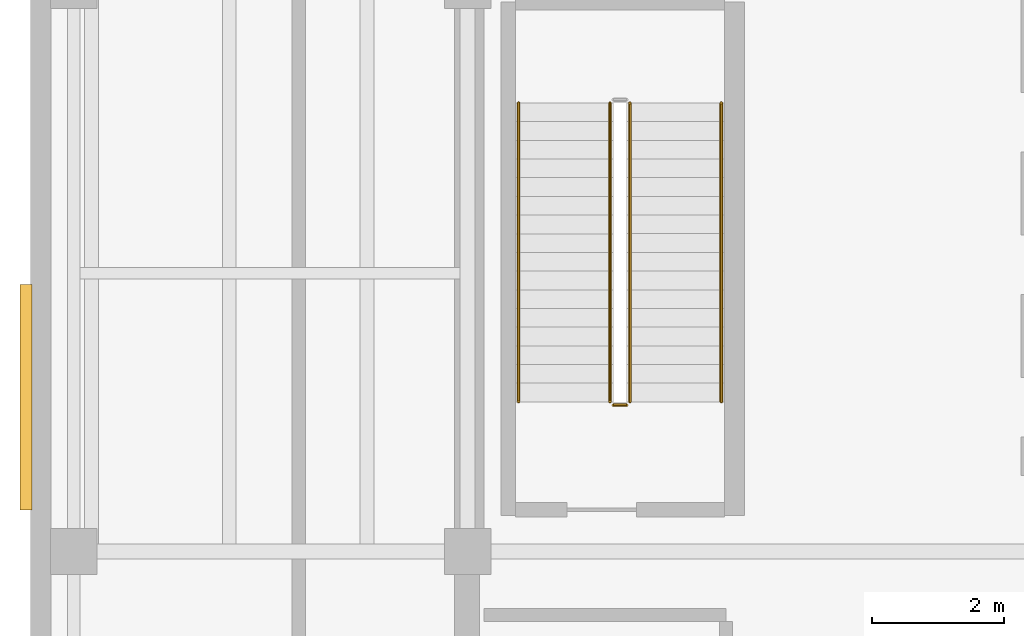
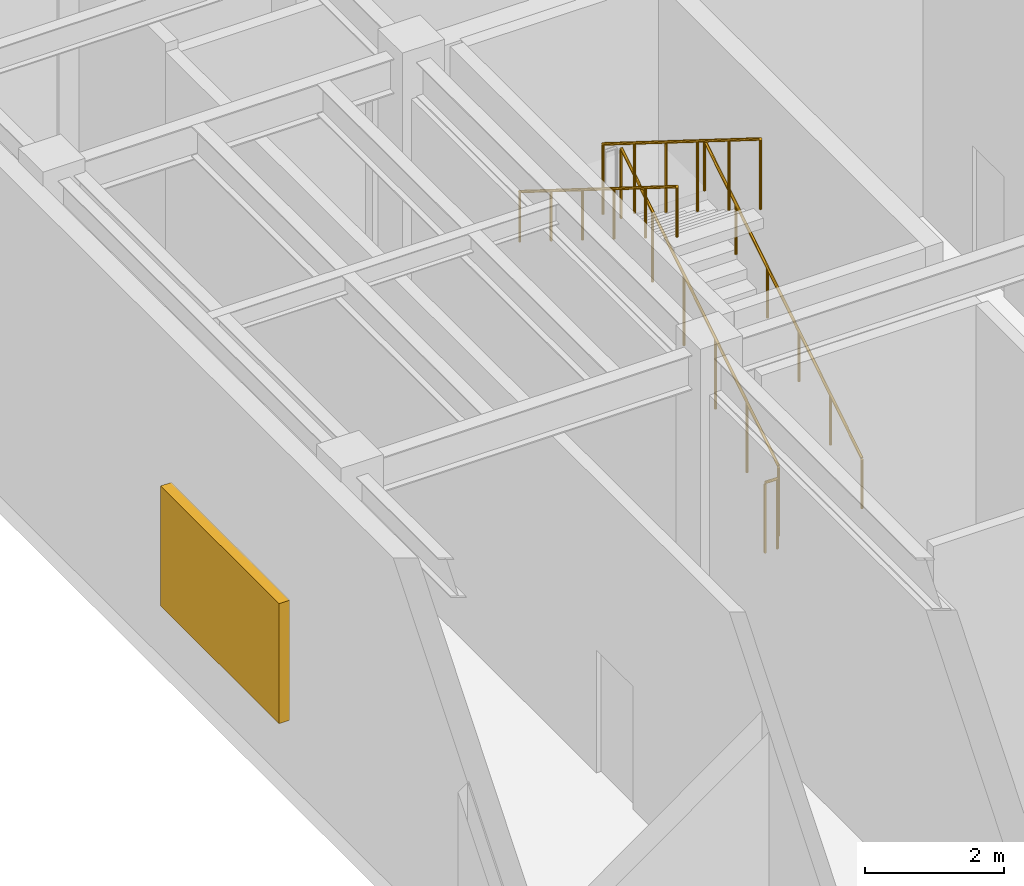
# One storey, part 10 of 12: 5 railings, 1 shading device.
"""IFC4 building model written with IfcOpenShell, lengths in metres."""

from ifc_helpers import new_model, si_unit, direction, frame, origin, origin_2d, place, context, subcontext, project, spatial, rectangle, circle, extrude, material, layer, layer_set, type_object, element, save


model = new_model("IFC4")

# Units and contexts
model_context = context("Model", 3, precision=1e-05, world=origin(), true_north=direction((0.0, 1.0)))
body_context = subcontext(model_context, "Body", "Model", "MODEL_VIEW")
ifc_project = project(units=[si_unit("LENGTHUNIT", "METRE"), si_unit("AREAUNIT", "SQUARE_METRE"), si_unit("VOLUMEUNIT", "CUBIC_METRE"), si_unit("PLANEANGLEUNIT", "RADIAN"), si_unit("MASSUNIT", "GRAM", prefix="KILO")], contexts=[model_context])

# Site, building, storey
site_placement = place(None, origin())
site = spatial("IfcSite", under=ifc_project, at=site_placement, CompositionType="ELEMENT")
building_placement = place(site_placement, origin())
building = spatial("IfcBuilding", under=site, at=building_placement, Name="Ochreholt Gables", CompositionType="ELEMENT")
storey_placement = place(building_placement, frame((0.0, 0.0, 199.800048828125)))
storey = spatial("IfcBuildingStorey", under=building, at=storey_placement, Name="L52", CompositionType="ELEMENT", Elevation=199.800048828125)

# Railings
ifc_material_1 = material(Name="Painted Steel Stair Guardrail", Category="steel")
railing_type_1 = type_object("IfcRailingType", Name="RL-ST-GUARD", PredefinedType="GUARDRAIL", material=ifc_material_1)
railing_1_placement = place(storey_placement, frame((26.64990234375, 32.4599609375, 0.176513671875)))
element("IfcRailing", 1, at=railing_1_placement, inside=storey, type_object=railing_type_1, Name="L52 ST-2 stair guard 1", PredefinedType="GUARDRAIL", context=body_context, shape_type="SweptSolid", body=[
    extrude(circle(Radius=0.02392578125, at=origin_2d()), frame((0.0, 0.0, 1.22607421875), z_axis=(0.0, 0.847701827889, 0.530473006847), x_axis=(-1.0, 0.0, 0.0)), (0.0, 0.0, 1.0), 5.322509765625),
    extrude(circle(Radius=0.02099609375, at=origin_2d()), origin(), (0.0, 0.0, 1.0), 1.201904296875),
    extrude(circle(Radius=0.02099609375, at=origin_2d()), frame((0.0, 0.90234375, 0.564697265625)), (0.0, 0.0, 1.0), 1.201904296875),
    extrude(circle(Radius=0.02099609375, at=origin_2d()), frame((0.0, 1.8046875, 1.12939453125)), (0.0, 0.0, 1.0), 1.201904296875),
    extrude(circle(Radius=0.02099609375, at=origin_2d()), frame((0.0, 2.707275390625, 1.694091796875)), (0.0, 0.0, 1.0), 1.201904296875),
    extrude(circle(Radius=0.02099609375, at=origin_2d()), frame((0.0, 3.609619140625, 2.2587890625)), (0.0, 0.0, 1.0), 1.201904296875),
    extrude(circle(Radius=0.02099609375, at=origin_2d()), frame((0.0, 4.511962890625, 2.823486328125)), (0.0, 0.0, 1.0), 1.201904296875),
])
railing_2_placement = place(storey_placement, frame((26.35009765625, 36.971923828125, 3.176513671875)))
element("IfcRailing", 2, at=railing_2_placement, inside=storey, type_object=railing_type_1, Name="L52 ST-2 stair guard 3", PredefinedType="GUARDRAIL", context=body_context, shape_type="SweptSolid", body=[
    extrude(circle(Radius=0.02392578125, at=origin_2d()), frame((0.0, 0.0, 1.22607421875), z_axis=(0.0, -0.847701827889, 0.530473006847), x_axis=(1.0, 0.0, 0.0)), (0.0, 0.0, 1.0), 5.322509765625),
    extrude(circle(Radius=0.02099609375, at=origin_2d()), origin(), (0.0, 0.0, 1.0), 1.201904296875),
    extrude(circle(Radius=0.02099609375, at=origin_2d()), frame((0.0, -0.90234375, 0.564697265625)), (0.0, 0.0, 1.0), 1.201904296875),
    extrude(circle(Radius=0.02099609375, at=origin_2d()), frame((0.0, -1.8046875, 1.12939453125)), (0.0, 0.0, 1.0), 1.201904296875),
    extrude(circle(Radius=0.02099609375, at=origin_2d()), frame((0.0, -2.707275390625, 1.694091796875)), (0.0, 0.0, 1.0), 1.201904296875),
    extrude(circle(Radius=0.02099609375, at=origin_2d()), frame((0.0, -3.609619140625, 2.2587890625)), (0.0, 0.0, 1.0), 1.201904296875),
    extrude(circle(Radius=0.02099609375, at=origin_2d()), frame((0.0, -4.511962890625, 2.823486328125)), (0.0, 0.0, 1.0), 1.201904296875),
])
railing_3_placement = place(storey_placement, frame((26.60009765625, 32.409912109375, 0.0)))
element("IfcRailing", 3, at=railing_3_placement, inside=storey, type_object=railing_type_1, Name="L52 ST-2 stair guard 4", PredefinedType="GUARDRAIL", context=body_context, shape_type="SweptSolid", body=[
    extrude(circle(Radius=0.02392578125, at=origin_2d()), frame((0.0, 0.0, 1.22607421875), z_axis=(-1.0, 0.0, 0.0), x_axis=(0.0, -1.0, 0.0)), (0.0, 0.0, 1.0), 0.2001953125),
    extrude(circle(Radius=0.02099609375, at=origin_2d()), origin(), (0.0, 0.0, 1.0), 1.201904296875),
    extrude(circle(Radius=0.02099609375, at=origin_2d()), frame((-0.2001953125, 0.0, 0.0)), (0.0, 0.0, 1.0), 1.201904296875),
])
ifc_material_2 = material(Name="Brushed Stainless Steel Wall Handrail", Category="steel")
railing_type_2 = type_object("IfcRailingType", Name="RL-ST-HAND", PredefinedType="HANDRAIL", material=ifc_material_2)
railing_4_placement = place(storey_placement, frame((28.030029296875, 32.4599609375, 0.176513671875)))
element("IfcRailing", 4, at=railing_4_placement, inside=storey, type_object=railing_type_2, Name="L52 ST-2 stair handrail 1", PredefinedType="HANDRAIL", context=body_context, shape_type="SweptSolid", body=[
    extrude(circle(Radius=0.02392578125, at=origin_2d()), frame((0.0, 0.0, 0.8759765625), z_axis=(0.0, 0.847701827889, 0.530473006847), x_axis=(-1.0, 0.0, 0.0)), (0.0, 0.0, 1.0), 5.322509765625),
    extrude(circle(Radius=0.02099609375, at=origin_2d()), origin(), (0.0, 0.0, 1.0), 0.851806640625),
    extrude(circle(Radius=0.02099609375, at=origin_2d()), frame((0.0, 0.90234375, 0.564697265625)), (0.0, 0.0, 1.0), 0.851806640625),
    extrude(circle(Radius=0.02099609375, at=origin_2d()), frame((0.0, 1.8046875, 1.12939453125)), (0.0, 0.0, 1.0), 0.851806640625),
    extrude(circle(Radius=0.02099609375, at=origin_2d()), frame((0.0, 2.707275390625, 1.694091796875)), (0.0, 0.0, 1.0), 0.851806640625),
    extrude(circle(Radius=0.02099609375, at=origin_2d()), frame((0.0, 3.609619140625, 2.2587890625)), (0.0, 0.0, 1.0), 0.851806640625),
    extrude(circle(Radius=0.02099609375, at=origin_2d()), frame((0.0, 4.511962890625, 2.823486328125)), (0.0, 0.0, 1.0), 0.851806640625),
])
railing_5_placement = place(storey_placement, frame((24.969970703125, 36.971923828125, 3.176513671875)))
element("IfcRailing", 5, at=railing_5_placement, inside=storey, type_object=railing_type_2, Name="L52 ST-2 stair handrail 2", PredefinedType="HANDRAIL", context=body_context, shape_type="SweptSolid", body=[
    extrude(circle(Radius=0.02392578125, at=origin_2d()), frame((0.0, 0.0, 0.8759765625), z_axis=(0.0, -0.847701827889, 0.530473006847), x_axis=(1.0, 0.0, 0.0)), (0.0, 0.0, 1.0), 5.322509765625),
    extrude(circle(Radius=0.02099609375, at=origin_2d()), origin(), (0.0, 0.0, 1.0), 0.851806640625),
    extrude(circle(Radius=0.02099609375, at=origin_2d()), frame((0.0, -0.90234375, 0.564697265625)), (0.0, 0.0, 1.0), 0.851806640625),
    extrude(circle(Radius=0.02099609375, at=origin_2d()), frame((0.0, -1.8046875, 1.12939453125)), (0.0, 0.0, 1.0), 0.851806640625),
    extrude(circle(Radius=0.02099609375, at=origin_2d()), frame((0.0, -2.707275390625, 1.694091796875)), (0.0, 0.0, 1.0), 0.851806640625),
    extrude(circle(Radius=0.02099609375, at=origin_2d()), frame((0.0, -3.609619140625, 2.2587890625)), (0.0, 0.0, 1.0), 0.851806640625),
    extrude(circle(Radius=0.02099609375, at=origin_2d()), frame((0.0, -4.511962890625, 2.823486328125)), (0.0, 0.0, 1.0), 0.851806640625),
])

# Shading device
ifc_material_3 = material(Name="Anodized Aluminium Acoustic Weather Louvre", Category="aluminium")
ifc_layer = layer(ifc_material_3, 0.179931640625, Name="Anodized Aluminium Acoustic Weather Louvre")
ifc_layer_set = layer_set([ifc_layer], Name="Anodized Aluminium Acoustic Weather Louvre")
shading_device_type = type_object("IfcShadingDeviceType", Name="SHD-LOUVRE", PredefinedType="JALOUSIE", material=ifc_layer_set)
shading_device_placement = place(storey_placement, frame((17.530029296875, 32.528076171875, 1.099853515625), z_axis=(0.0, 0.0, 1.0), x_axis=(0.0, -1.0, 0.0)))
element("IfcShadingDevice", 6, at=shading_device_placement, inside=storey, type_object=shading_device_type, Name="L52 Acoustic Plant Louvre West-1", PredefinedType="JALOUSIE", context=body_context, shape_type="SweptSolid", body=[
    extrude(rectangle(XDim=3.39990234375, YDim=0.179931640625, at=origin_2d()), origin(), (0.0, 0.0, 1.0), 2.10009765625),
])

save(model, "model.ifc")
